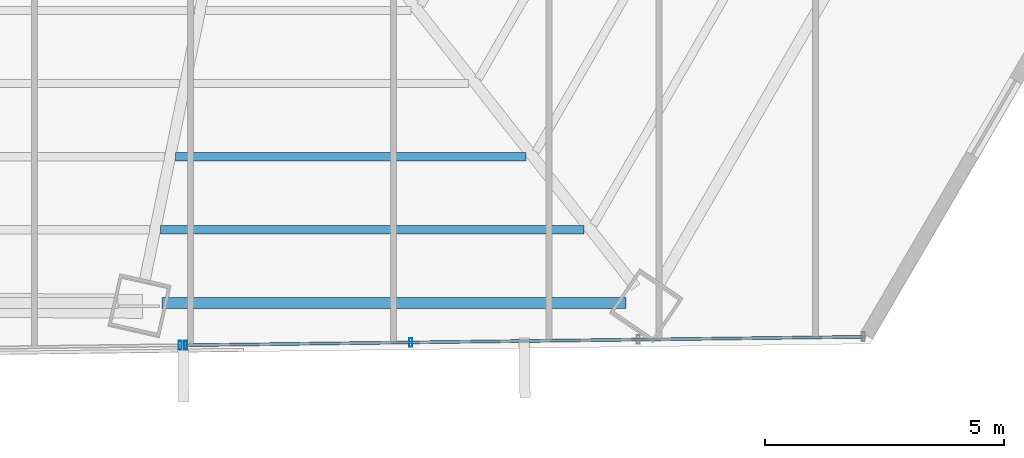
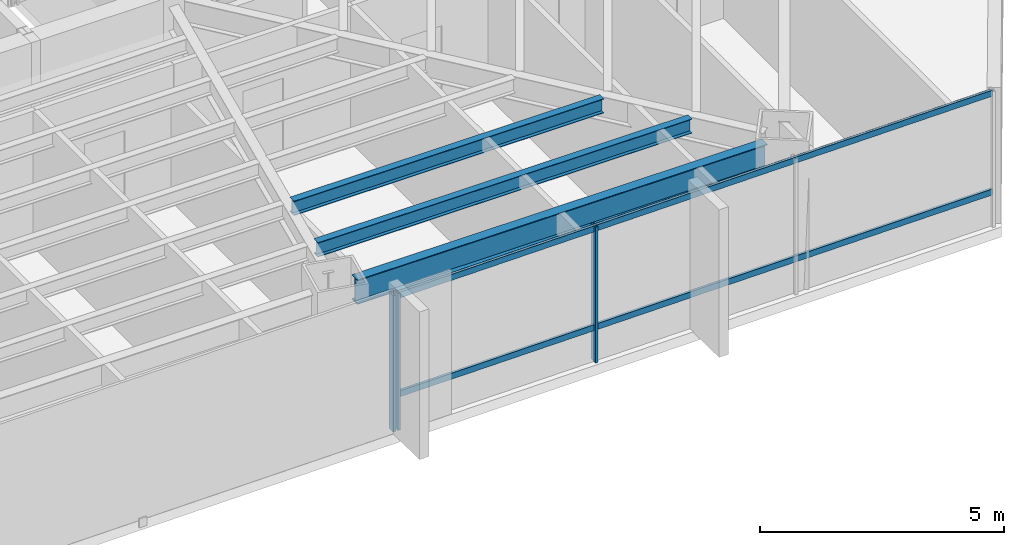
# One storey, part 16 of 37: 5 members, 3 beams, 2 elements without a shape of their own.
"""IFC4 building model written with IfcOpenShell, lengths in metres."""

from ifc_helpers import new_model, si_unit, direction, frame, origin, origin_2d, place, context, subcontext, project, spatial, hollow_rectangle, i_section, extrude, source, transform, mapped, material, material_profile, profile_set, type_object, type_shapes, element, aggregate, save


model = new_model("IFC4")

# Units and contexts
model_context = context("Model", 3, precision=1e-05, world=origin(), true_north=direction((0.0, 1.0)))
body_context = subcontext(model_context, "Body", "Model", "MODEL_VIEW")
ifc_project = project(units=[si_unit("LENGTHUNIT", "METRE"), si_unit("AREAUNIT", "SQUARE_METRE"), si_unit("VOLUMEUNIT", "CUBIC_METRE"), si_unit("PLANEANGLEUNIT", "RADIAN"), si_unit("MASSUNIT", "GRAM", prefix="KILO")], contexts=[model_context])

# Site, building, storey
site_placement = place(None, origin())
site = spatial("IfcSite", under=ifc_project, at=site_placement, CompositionType="ELEMENT")
building_placement = place(site_placement, origin())
building = spatial("IfcBuilding", under=site, at=building_placement, Name="Caelisora Broadcast Tower", CompositionType="ELEMENT")
storey_placement = place(building_placement, frame((0.0, 0.0, 120.0)))
storey = spatial("IfcBuildingStorey", under=building, at=storey_placement, Name="L31", CompositionType="ELEMENT", Elevation=120.0)

# Beams
ifc_material_1 = material(Name="Steel Grade 350 (AS/NZS 3679.1)", Category="steel")
ifc_material_profile_1 = material_profile(ifc_material_1, i_section(OverallWidth=0.22900390625, OverallDepth=0.611572265625, WebThickness=0.011962890625, FlangeThickness=0.01953125, at=origin_2d()), Name="Steel Grade 350 (AS/NZS 3679.1)")
ifc_profile_set_1 = profile_set([ifc_material_profile_1], Name="Steel Grade 350 (AS/NZS 3679.1)")
beam_type_1 = type_object("IfcBeamType", Name="PG03", PredefinedType="BEAM", material=ifc_profile_set_1)
shared_shape_1 = source(origin(), body_context, "Body", "SweptSolid", [
    extrude(i_section(OverallWidth=0.22900390625, OverallDepth=0.611572265625, WebThickness=0.011962890625, FlangeThickness=0.01953125, at=origin_2d()), origin(), (0.0, 0.0, 1.0), 9.697265625),
])
type_shapes(beam_type_1, [shared_shape_1])
beam_1_placement = place(storey_placement, frame((43.768798828125, 6.702392578125, 3.09423828125), z_axis=(1.0, 0.0, 0.0), x_axis=(0.0, 1.0, 0.0)))
element("IfcBeam", 1, at=beam_1_placement, inside=storey, type_object=beam_type_1, Name="L31 beam PG03", PredefinedType="BEAM", context=body_context, shape_type="MappedRepresentation", body=[
    mapped(shared_shape_1, transform((0.0, 0.0, 0.0), scale=1.0)),
])
ifc_material_profile_2 = material_profile(ifc_material_1, i_section(OverallWidth=0.172119140625, OverallDepth=0.358642578125, WebThickness=0.008056640625, FlangeThickness=0.012939453125, at=origin_2d()), Name="Steel Grade 350 (AS/NZS 3679.1)")
ifc_profile_set_2 = profile_set([ifc_material_profile_2], Name="Steel Grade 350 (AS/NZS 3679.1)")
beam_type_2 = type_object("IfcBeamType", Name="SB02", PredefinedType="JOIST", material=ifc_profile_set_2)
shared_shape_2 = source(origin(), body_context, "Body", "SweptSolid", [
    extrude(i_section(OverallWidth=0.172119140625, OverallDepth=0.358642578125, WebThickness=0.008056640625, FlangeThickness=0.012939453125, at=origin_2d()), origin(), (0.0, 0.0, 1.0), 7.328369140625),
])
beam_2_placement = place(storey_placement, frame((44.048095703125, 9.7587890625, 3.220703125), z_axis=(1.0, 0.0, 0.0), x_axis=(0.0, 1.0, 0.0)))
element("IfcBeam", 2, at=beam_2_placement, inside=storey, type_object=beam_type_2, Name="L31 beam SB02", PredefinedType="JOIST", context=body_context, shape_type="MappedRepresentation", body=[
    mapped(shared_shape_2, transform((0.0, 0.0, 0.0), scale=1.0)),
])
shared_shape_3 = source(origin(), body_context, "Body", "SweptSolid", [
    extrude(i_section(OverallWidth=0.172119140625, OverallDepth=0.358642578125, WebThickness=0.008056640625, FlangeThickness=0.012939453125, at=origin_2d()), origin(), (0.0, 0.0, 1.0), 8.844970703125),
])
type_shapes(beam_type_2, [shared_shape_2, shared_shape_3])
beam_3_placement = place(storey_placement, frame((43.735107421875, 8.230712890625, 3.220703125), z_axis=(1.0, 0.0, 0.0), x_axis=(0.0, 1.0, 0.0)))
element("IfcBeam", 3, at=beam_3_placement, inside=storey, type_object=beam_type_2, Name="L31 beam SB02", PredefinedType="JOIST", context=body_context, shape_type="MappedRepresentation", body=[
    mapped(shared_shape_3, transform((0.0, 0.0, 0.0), scale=1.0)),
])

# Curtain wall, members
ifc_material_2 = material(Name="Unitised Aluminium and Low-E Glass Curtain Wall", Category="glass")
curtain_wall_type_1 = type_object("IfcCurtainWallType", Name="CW-Z2", PredefinedType="NOTDEFINED", material=ifc_material_2)
curtain_wall_1_placement = place(storey_placement, origin())
curtain_wall_1 = element("IfcCurtainWall", 4, at=curtain_wall_1_placement, inside=storey, type_object=curtain_wall_type_1, Name="L31 curtain wall CW-Z2", PredefinedType="NOTDEFINED")
ifc_material_3 = material(Name="Aluminium 6063-T6 Anodised Terracotta Bronze", Category="aluminium")
ifc_material_profile_3 = material_profile(ifc_material_3, hollow_rectangle(XDim=0.06494140625, YDim=0.179931640625, WallThickness=0.00341796875, at=origin_2d()), Name="Aluminium 6063-T6 Anodised Terracotta Bronze")
ifc_profile_set_3 = profile_set([ifc_material_profile_3], Name="Aluminium 6063-T6 Anodised Terracotta Bronze")
member_type_1 = type_object("IfcMemberType", Name="CWM-02", PredefinedType="MULLION", material=ifc_profile_set_3)
shared_shape_4 = source(origin(), body_context, "Body", "SweptSolid", [
    extrude(hollow_rectangle(XDim=0.06494140625, YDim=0.179931640625, WallThickness=0.00341796875, at=origin_2d()), origin(), (0.0, 0.0, 1.0), 3.39990234375),
])
type_shapes(member_type_1, [shared_shape_4])
member_1_placement = place(storey_placement, frame((48.962646484375, 5.876708984375, 0.0), z_axis=(0.0, 0.0, 1.0), x_axis=(1.0, 0.0, 0.0)))
member_1 = element("IfcMember", 5, at=member_1_placement, type_object=member_type_1, Name="L31-CW-B05 mullion #2", PredefinedType="MULLION", context=body_context, shape_type="MappedRepresentation", body=[
    mapped(shared_shape_4, transform((0.0, 0.0, 0.0), scale=1.0)),
])
member_2_placement = place(storey_placement, frame((44.257568359375, 5.818115234375, 0.0), z_axis=(0.0, 0.0, 1.0), x_axis=(1.0, 0.0, 0.0)))
member_2 = element("IfcMember", 6, at=member_2_placement, type_object=member_type_1, Name="L31-CW-B05 mullion #3", PredefinedType="MULLION", context=body_context, shape_type="MappedRepresentation", body=[
    mapped(shared_shape_4, transform((0.0, 0.0, 0.0), scale=1.0)),
])

# Curtain wall, member
ifc_material_4 = material(Name="Unitised Aluminium Insulated Shadow-Box Spandrel Curtain Wall", Category="aluminium")
curtain_wall_type_2 = type_object("IfcCurtainWallType", Name="CW-SP1", PredefinedType="NOTDEFINED", material=ifc_material_4)
curtain_wall_2_placement = place(storey_placement, origin())
curtain_wall_2 = element("IfcCurtainWall", 7, at=curtain_wall_2_placement, inside=storey, type_object=curtain_wall_type_2, Name="L31 curtain wall CW-SP1", PredefinedType="NOTDEFINED")
member_3_placement = place(storey_placement, frame((44.1474609375, 5.816650390625, 0.0), z_axis=(0.0, 0.0, 1.0), x_axis=(1.0, 0.0, 0.0)))
member_3 = element("IfcMember", 8, at=member_3_placement, type_object=member_type_1, Name="L31-CW-B06 mullion #0", PredefinedType="MULLION", context=body_context, shape_type="MappedRepresentation", body=[
    mapped(shared_shape_4, transform((0.0, 0.0, 0.0), scale=1.0)),
])
aggregate(curtain_wall_2, [member_3])

# Member
ifc_material_profile_4 = material_profile(ifc_material_3, hollow_rectangle(XDim=0.06005859375, YDim=0.14990234375, WallThickness=0.00341796875, at=origin_2d()), Name="Aluminium 6063-T6 Anodised Terracotta Bronze")
ifc_profile_set_4 = profile_set([ifc_material_profile_4], Name="Aluminium 6063-T6 Anodised Terracotta Bronze")
member_type_2 = type_object("IfcMemberType", Name="CWT-02", PredefinedType="USERDEFINED", material=ifc_profile_set_4)
shared_shape_5 = source(origin(), body_context, "Body", "SweptSolid", [
    extrude(hollow_rectangle(XDim=0.06005859375, YDim=0.14990234375, WallThickness=0.00341796875, at=origin_2d()), origin(), (0.0, 0.0, 1.0), 14.16650390625),
])
type_shapes(member_type_2, [shared_shape_5])
member_4_placement = place(storey_placement, frame((58.423095703125, 5.994384765625, 0.85009765625), z_axis=(-0.999922587948, -0.012442592611, 0.0), x_axis=(0.012442592611, -0.999922587948, 0.0)))
member_4 = element("IfcMember", 9, at=member_4_placement, type_object=member_type_2, Name="L31-CW-B05 transom #1", ObjectType="TRANSOM", PredefinedType="USERDEFINED", context=body_context, shape_type="MappedRepresentation", body=[
    mapped(shared_shape_5, transform((0.0, 0.0, 0.0), scale=1.0)),
])

member_5_placement = place(storey_placement, frame((58.423095703125, 5.994384765625, 3.320068359375), z_axis=(-0.999922587948, -0.012442592611, 0.0), x_axis=(0.012442592611, -0.999922587948, 0.0)))
member_5 = element("IfcMember", 10, at=member_5_placement, type_object=member_type_2, Name="L31-CW-B05 transom #2", ObjectType="TRANSOM", PredefinedType="USERDEFINED", context=body_context, shape_type="MappedRepresentation", body=[
    mapped(shared_shape_5, transform((0.0, 0.0, 0.0), scale=1.0)),
])

aggregate(curtain_wall_1, [member_1, member_2, member_4, member_5])

save(model, "model.ifc")
